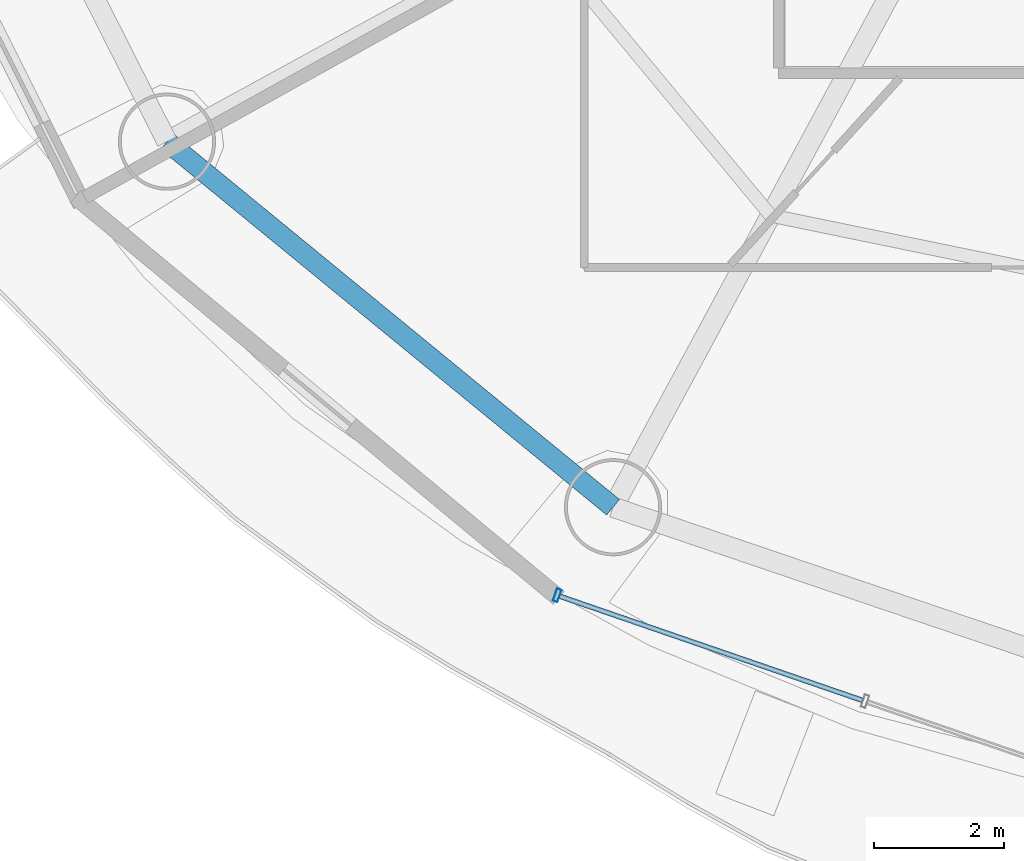
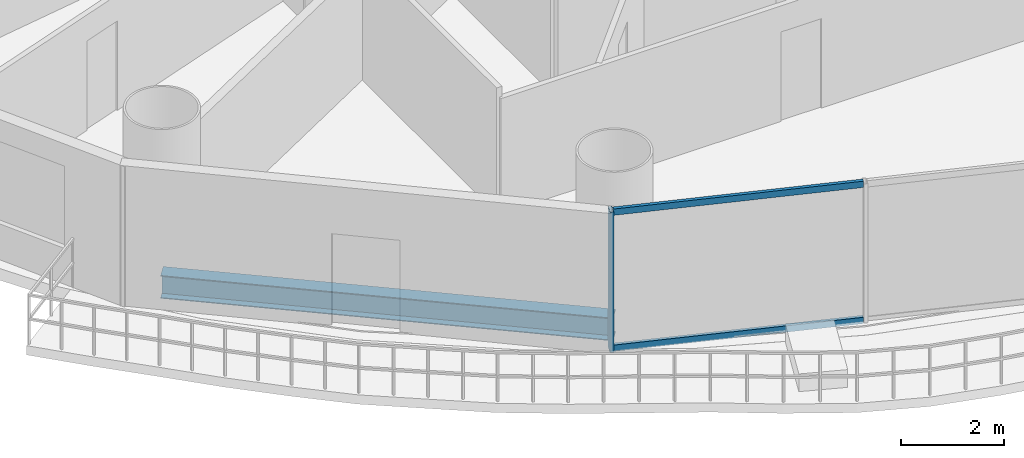
# One storey, part 2 of 29: 3 members, 1 beam, 1 element without a shape of its own.
"""IFC4 building model written with IfcOpenShell, lengths in metres."""

from ifc_helpers import new_model, si_unit, direction, frame, origin, origin_2d, place, context, subcontext, project, spatial, hollow_rectangle, i_section, extrude, source, transform, mapped, material, material_profile, profile_set, type_object, element, aggregate, save


model = new_model("IFC4")

# Units and contexts
model_context = context("Model", 3, precision=1e-05, world=origin(), true_north=direction((-0.2419218956, 0.970295726276)))
body_context = subcontext(model_context, "Body", "Model", "MODEL_VIEW")
ifc_project = project(units=[si_unit("LENGTHUNIT", "METRE"), si_unit("AREAUNIT", "SQUARE_METRE"), si_unit("VOLUMEUNIT", "CUBIC_METRE"), si_unit("PLANEANGLEUNIT", "RADIAN"), si_unit("MASSUNIT", "GRAM", prefix="KILO")], contexts=[model_context])

# Site, building, storey
site_placement = place(None, origin())
site = spatial("IfcSite", under=ifc_project, at=site_placement, CompositionType="ELEMENT")
building_placement = place(site_placement, origin())
building = spatial("IfcBuilding", under=site, at=building_placement, Name="Cobrevalo Terracotta Tower", CompositionType="ELEMENT")
storey_placement = place(building_placement, frame((0.0, 0.0, 123.0)))
storey = spatial("IfcBuildingStorey", under=building, at=storey_placement, Name="L32", CompositionType="ELEMENT", Elevation=123.0)

# Beam
ifc_material_1 = material(Name="Steel S355", Category="steel")
ifc_material_profile_1 = material_profile(ifc_material_1, i_section(OverallWidth=0.31201171875, OverallDepth=0.54296875, WebThickness=0.0126953125, FlangeThickness=0.020263671875, at=origin_2d()), Name="W 530x150")
ifc_profile_set_1 = profile_set([ifc_material_profile_1], Name="Steel S355")
beam_type = type_object("IfcBeamType", Name="Structural Spandrel W 530x150 (Steel S355)", PredefinedType="SPANDREL", material=ifc_profile_set_1)
beam_placement = place(storey_placement, frame((17.2548828125, 15.4384765625, -0.54638671875), z_axis=(0.773400923541, -0.633917196064, 0.0), x_axis=(0.633917196064, 0.773400923541, 0.0)))
element("IfcBeam", 1, at=beam_placement, inside=storey, type_object=beam_type, Name="L32 perimeter ring spandrel 10", PredefinedType="SPANDREL", context=body_context, shape_type="SweptSolid", body=[
    extrude(i_section(OverallWidth=0.31201171875, OverallDepth=0.54296875, WebThickness=0.0126953125, FlangeThickness=0.020263671875, at=origin_2d()), origin(), (0.0, 0.0, 1.0), 8.900390625),
])

# Curtain wall, members
ifc_material_2 = material(Name="Anodized aluminium", Category="aluminium")
curtain_wall_type = type_object("IfcCurtainWallType", Name="Lower-tower unitised acoustic low-E curtain wall CW-U1", PredefinedType="NOTDEFINED", material=ifc_material_2)
curtain_wall_placement = place(storey_placement, origin())
curtain_wall = element("IfcCurtainWall", 2, at=curtain_wall_placement, inside=storey, type_object=curtain_wall_type, Name="L32 curtain wall CW-L32-S11", PredefinedType="NOTDEFINED")
ifc_material_profile_2 = material_profile(ifc_material_2, hollow_rectangle(XDim=0.074951171875, YDim=0.199951171875, WallThickness=0.0048828125, at=origin_2d()), Name="CWM 75x200")
ifc_profile_set_2 = profile_set([ifc_material_profile_2], Name="Anodized aluminium")
member_type_1 = type_object("IfcMemberType", Name="Lower/mid tower unitised mullion 75x200", PredefinedType="MULLION", material=ifc_profile_set_2)
shared_shape_1 = source(origin(), body_context, "Body", "SweptSolid", [
    extrude(hollow_rectangle(XDim=0.074951171875, YDim=0.199951171875, WallThickness=0.0048828125, at=origin_2d()), origin(), (0.0, 0.0, 1.0), 3.324951171875),
])
member_1_placement = place(storey_placement, frame((23.2763671875, 8.4365234375, 0.0), z_axis=(0.0, 0.0, 1.0), x_axis=(0.94559809868, -0.325337110968, 0.0)))
member_1 = element("IfcMember", 3, at=member_1_placement, type_object=member_type_1, Name="CW-L32-S11 vertical mullion 01", PredefinedType="MULLION", context=body_context, shape_type="MappedRepresentation", body=[
    mapped(shared_shape_1, transform((0.0, 0.0, 0.0), scale=1.0)),
])
ifc_material_profile_3 = material_profile(ifc_material_2, hollow_rectangle(XDim=0.074951171875, YDim=0.14990234375, WallThickness=0.00439453125, at=origin_2d()), Name="CWT 75x150")
ifc_profile_set_3 = profile_set([ifc_material_profile_3], Name="Anodized aluminium")
member_type_2 = type_object("IfcMemberType", Name="Tower unitised aluminium transom 75x150", PredefinedType="USERDEFINED", material=ifc_profile_set_3)
shared_shape_2 = source(origin(), body_context, "Body", "SweptSolid", [
    extrude(hollow_rectangle(XDim=0.074951171875, YDim=0.14990234375, WallThickness=0.00439453125, at=origin_2d()), origin(), (0.0, 0.0, 1.0), 4.944580078125),
])
member_2_placement = place(storey_placement, frame((23.314208984375, 8.42333984375, 0.050048828125), z_axis=(0.945597859971, -0.32533780478, 0.0), x_axis=(0.32533780478, 0.945597859971, 0.0)))
member_2 = element("IfcMember", 4, at=member_2_placement, type_object=member_type_2, Name="CW-L32-S11 transom B01-T1", ObjectType="TRANSOM", PredefinedType="USERDEFINED", context=body_context, shape_type="MappedRepresentation", body=[
    mapped(shared_shape_2, transform((0.0, 0.0, 0.0), scale=1.0)),
])
member_3_placement = place(storey_placement, frame((23.314208984375, 8.42333984375, 3.27490234375), z_axis=(0.945597859971, -0.32533780478, 0.0), x_axis=(0.32533780478, 0.945597859971, 0.0)))
member_3 = element("IfcMember", 5, at=member_3_placement, type_object=member_type_2, Name="CW-L32-S11 transom B01-T2", ObjectType="TRANSOM", PredefinedType="USERDEFINED", context=body_context, shape_type="MappedRepresentation", body=[
    mapped(shared_shape_2, transform((0.0, 0.0, 0.0), scale=1.0)),
])
aggregate(curtain_wall, [member_1, member_2, member_3])

save(model, "model.ifc")
